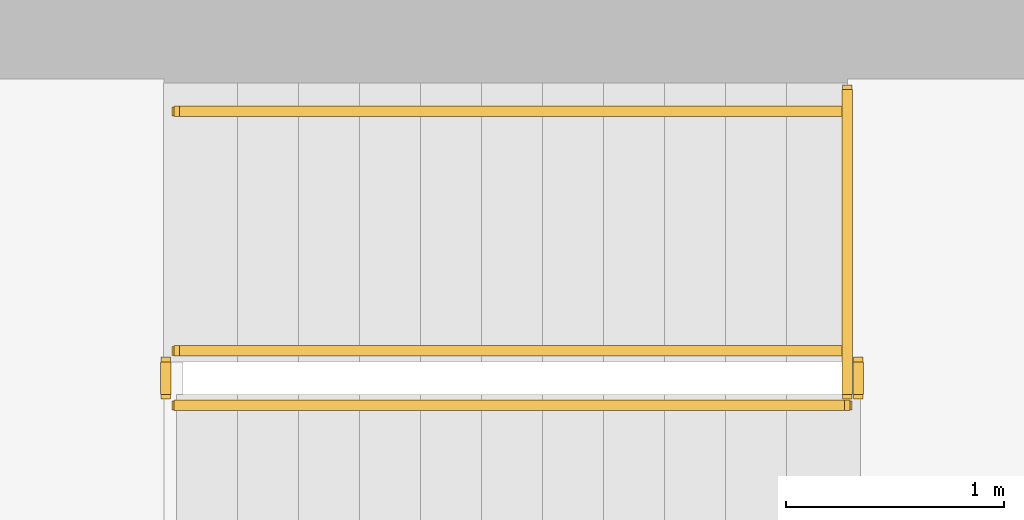
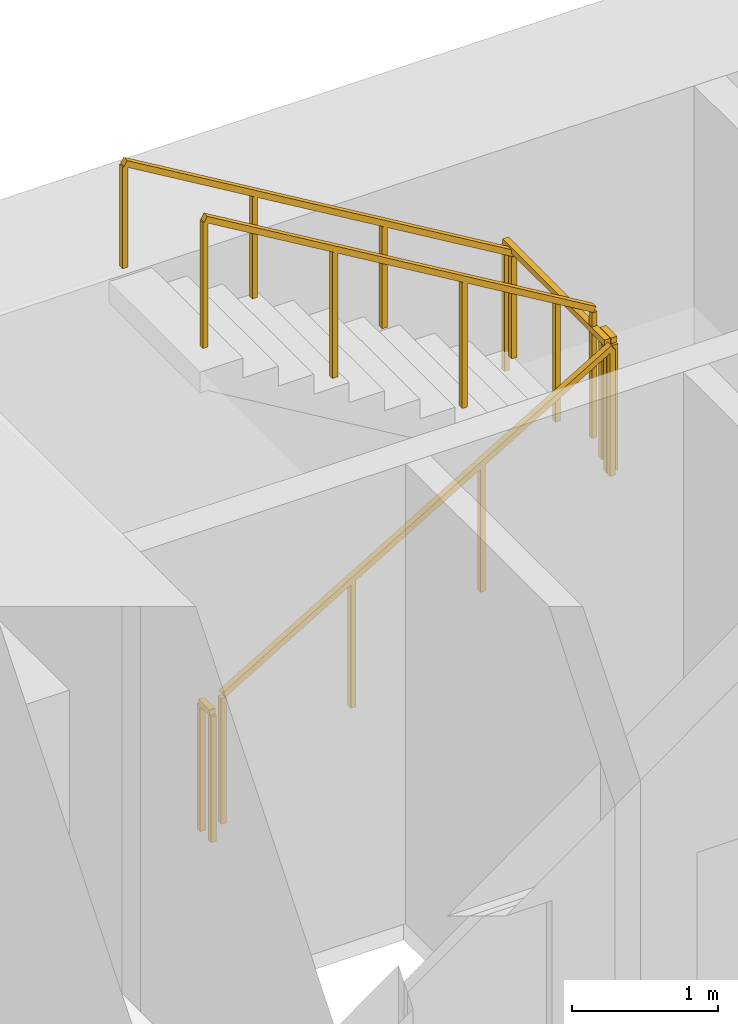
# One storey, part 16 of 17: 6 railings.
"""IFC4 building model written with IfcOpenShell, lengths in metres."""

from ifc_helpers import new_model, si_unit, direction, frame, origin, origin_2d, place, context, subcontext, project, spatial, rectangle, extrude, material, type_object, element, save


model = new_model("IFC4")

# Units and contexts
model_context = context("Model", 3, precision=1e-05, world=origin(), true_north=direction((0.0, 1.0)))
body_context = subcontext(model_context, "Body", "Model", "MODEL_VIEW")
ifc_project = project(units=[si_unit("LENGTHUNIT", "METRE"), si_unit("AREAUNIT", "SQUARE_METRE"), si_unit("VOLUMEUNIT", "CUBIC_METRE"), si_unit("PLANEANGLEUNIT", "RADIAN"), si_unit("MASSUNIT", "GRAM", prefix="KILO")], contexts=[model_context])

# Site, building, storey
site_placement = place(None, origin())
site = spatial("IfcSite", under=ifc_project, at=site_placement, CompositionType="ELEMENT")
building_placement = place(site_placement, origin())
building = spatial("IfcBuilding", under=site, at=building_placement, Name="Sennacour Bend Tower", CompositionType="ELEMENT")
storey_placement = place(building_placement, frame((0.0, 0.0, 49.0)))
storey = spatial("IfcBuildingStorey", under=building, at=storey_placement, Name="L10", CompositionType="ELEMENT", Elevation=49.0)

# Railings
ifc_material = material(Name="Stainless steel", Category="steel")
railing_type_1 = type_object("IfcRailingType", Name="RL-GUARD-1100", PredefinedType="GUARDRAIL", material=ifc_material)
railing_1_placement = place(storey_placement, frame((56.699951171875, 19.85009765625, 0.166748046875)))
element("IfcRailing", 1, at=railing_1_placement, inside=storey, type_object=railing_type_1, Name="L10 SA2 stair guard 1", PredefinedType="GUARDRAIL", context=body_context, shape_type="SweptSolid", body=[
    extrude(rectangle(XDim=0.048095703125, YDim=0.048095703125, at=origin_2d()), frame((0.0, 0.0, 1.076171875), z_axis=(0.859308565015, 0.0, 0.511457515432), x_axis=(0.0, 1.0, 0.0)), (0.0, 0.0, 1.0), 3.58447265625),
    extrude(rectangle(XDim=0.0419921875, YDim=0.0419921875, at=origin_2d()), origin(), (0.0, 0.0, 1.0), 1.052001953125),
    extrude(rectangle(XDim=0.0419921875, YDim=0.0419921875, at=origin_2d()), frame((1.026611328125, 0.0, 0.611083984375)), (0.0, 0.0, 1.0), 1.052001953125),
    extrude(rectangle(XDim=0.0419921875, YDim=0.0419921875, at=origin_2d()), frame((2.053466796875, 0.0, 1.22216796875)), (0.0, 0.0, 1.0), 1.052001953125),
    extrude(rectangle(XDim=0.0419921875, YDim=0.0419921875, at=origin_2d()), frame((3.080078125, 0.0, 1.833251953125)), (0.0, 0.0, 1.0), 1.052001953125),
])
railing_2_placement = place(storey_placement, frame((59.830078125, 19.89990234375, 2.0)))
element("IfcRailing", 2, at=railing_2_placement, inside=storey, type_object=railing_type_1, Name="L10 SA2 stair guard 2", PredefinedType="GUARDRAIL", context=body_context, shape_type="SweptSolid", body=[
    extrude(rectangle(XDim=0.048095703125, YDim=0.048095703125, at=origin_2d()), frame((0.0, 0.0, 1.076171875), z_axis=(0.0, 1.0, 0.0), x_axis=(-1.0, 0.0, 0.0)), (0.0, 0.0, 1.0), 0.150146484375),
    extrude(rectangle(XDim=0.0419921875, YDim=0.0419921875, at=origin_2d()), origin(), (0.0, 0.0, 1.0), 1.052001953125),
    extrude(rectangle(XDim=0.0419921875, YDim=0.0419921875, at=origin_2d()), frame((0.0, 0.150146484375, 0.0)), (0.0, 0.0, 1.0), 1.052001953125),
])
railing_3_placement = place(storey_placement, frame((59.780029296875, 20.10009765625, 2.166748046875)))
element("IfcRailing", 3, at=railing_3_placement, inside=storey, type_object=railing_type_1, Name="L10 SA2 stair guard 4", PredefinedType="GUARDRAIL", context=body_context, shape_type="SweptSolid", body=[
    extrude(rectangle(XDim=0.048095703125, YDim=0.048095703125, at=origin_2d()), frame((0.0, 0.0, 1.076171875), z_axis=(-0.859308565015, 0.0, 0.511457515432), x_axis=(0.0, -1.0, 0.0)), (0.0, 0.0, 1.0), 3.58447265625),
    extrude(rectangle(XDim=0.0419921875, YDim=0.0419921875, at=origin_2d()), origin(), (0.0, 0.0, 1.0), 1.052001953125),
    extrude(rectangle(XDim=0.0419921875, YDim=0.0419921875, at=origin_2d()), frame((-1.026611328125, 0.0, 0.611083984375)), (0.0, 0.0, 1.0), 1.052001953125),
    extrude(rectangle(XDim=0.0419921875, YDim=0.0419921875, at=origin_2d()), frame((-2.053466796875, 0.0, 1.22216796875)), (0.0, 0.0, 1.0), 1.052001953125),
    extrude(rectangle(XDim=0.0419921875, YDim=0.0419921875, at=origin_2d()), frame((-3.080078125, 0.0, 1.833251953125)), (0.0, 0.0, 1.0), 1.052001953125),
])
railing_4_placement = place(storey_placement, frame((56.64990234375, 19.89990234375, 0.0)))
element("IfcRailing", 4, at=railing_4_placement, inside=storey, type_object=railing_type_1, Name="L10 SA2 stair guard 5", PredefinedType="GUARDRAIL", context=body_context, shape_type="SweptSolid", body=[
    extrude(rectangle(XDim=0.048095703125, YDim=0.048095703125, at=origin_2d()), frame((0.0, 0.0, 1.076171875), z_axis=(0.0, 1.0, 0.0), x_axis=(-1.0, 0.0, 0.0)), (0.0, 0.0, 1.0), 0.150146484375),
    extrude(rectangle(XDim=0.0419921875, YDim=0.0419921875, at=origin_2d()), origin(), (0.0, 0.0, 1.0), 1.052001953125),
    extrude(rectangle(XDim=0.0419921875, YDim=0.0419921875, at=origin_2d()), frame((0.0, 0.150146484375, 0.0)), (0.0, 0.0, 1.0), 1.052001953125),
])
railing_5_placement = place(storey_placement, frame((59.780029296875, 19.89990234375, 2.0)))
element("IfcRailing", 5, at=railing_5_placement, inside=storey, type_object=railing_type_1, Name="L10 SA2 landing edge guard 21", PredefinedType="GUARDRAIL", context=body_context, shape_type="SweptSolid", body=[
    extrude(rectangle(XDim=0.048095703125, YDim=0.048095703125, at=origin_2d()), frame((0.0, 0.0, 1.076171875), z_axis=(0.0, 1.0, 0.0), x_axis=(-1.0, 0.0, 0.0)), (0.0, 0.0, 1.0), 1.400146484375),
    extrude(rectangle(XDim=0.0419921875, YDim=0.0419921875, at=origin_2d()), origin(), (0.0, 0.0, 1.0), 1.052001953125),
    extrude(rectangle(XDim=0.0419921875, YDim=0.0419921875, at=origin_2d()), frame((0.0, 0.7001953125, 0.0)), (0.0, 0.0, 1.0), 1.052001953125),
    extrude(rectangle(XDim=0.0419921875, YDim=0.0419921875, at=origin_2d()), frame((0.0, 1.400146484375, 0.0)), (0.0, 0.0, 1.0), 1.052001953125),
])
railing_type_2 = type_object("IfcRailingType", Name="RL-HANDRAIL-900", PredefinedType="HANDRAIL", material=ifc_material)
railing_6_placement = place(storey_placement, frame((59.780029296875, 21.199951171875, 2.166748046875)))
element("IfcRailing", 6, at=railing_6_placement, inside=storey, type_object=railing_type_2, Name="L10 SA2 stair handrail 2", PredefinedType="HANDRAIL", context=body_context, shape_type="SweptSolid", body=[
    extrude(rectangle(XDim=0.048095703125, YDim=0.048095703125, at=origin_2d()), frame((0.0, 0.0, 0.8759765625), z_axis=(-0.859308565015, 0.0, 0.511457515432), x_axis=(0.0, -1.0, 0.0)), (0.0, 0.0, 1.0), 3.58447265625),
    extrude(rectangle(XDim=0.0419921875, YDim=0.0419921875, at=origin_2d()), origin(), (0.0, 0.0, 1.0), 0.851806640625),
    extrude(rectangle(XDim=0.0419921875, YDim=0.0419921875, at=origin_2d()), frame((-1.026611328125, 0.0, 0.611083984375)), (0.0, 0.0, 1.0), 0.851806640625),
    extrude(rectangle(XDim=0.0419921875, YDim=0.0419921875, at=origin_2d()), frame((-2.053466796875, 0.0, 1.22216796875)), (0.0, 0.0, 1.0), 0.851806640625),
    extrude(rectangle(XDim=0.0419921875, YDim=0.0419921875, at=origin_2d()), frame((-3.080078125, 0.0, 1.833251953125)), (0.0, 0.0, 1.0), 0.851806640625),
])

save(model, "model.ifc")
